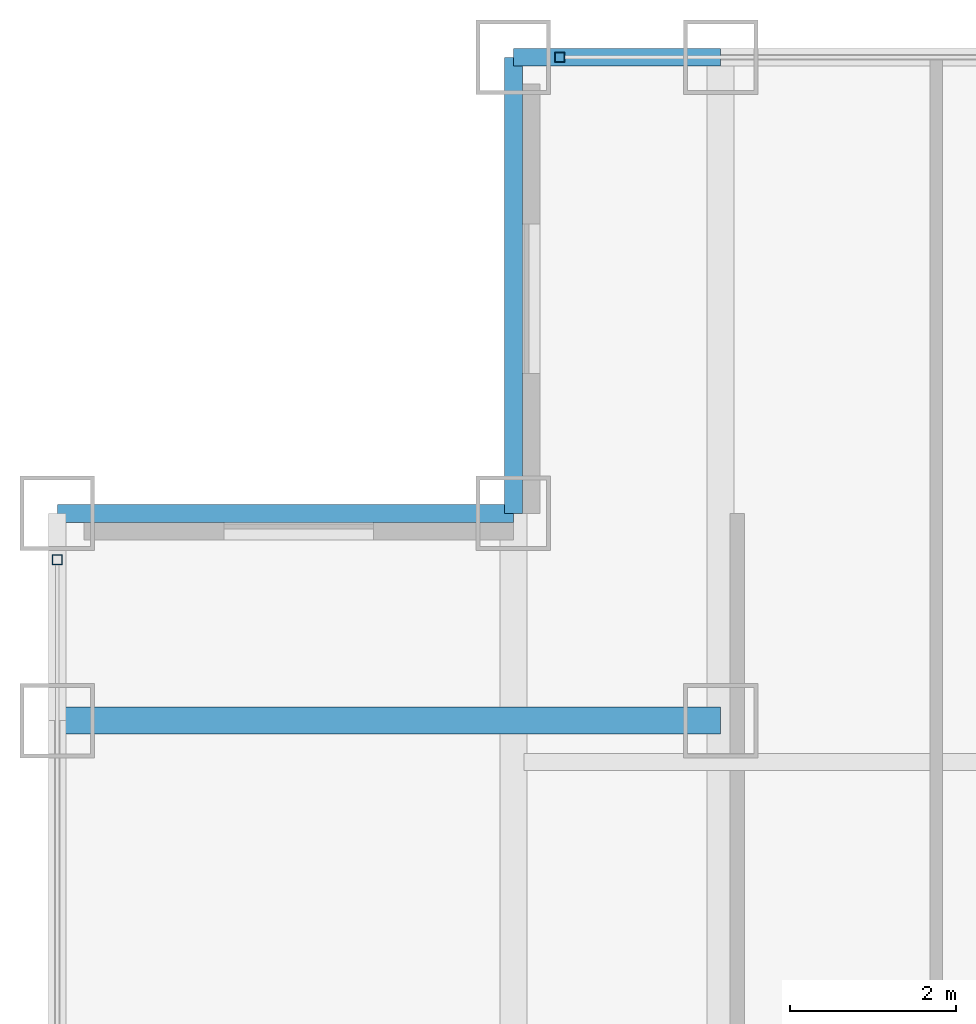
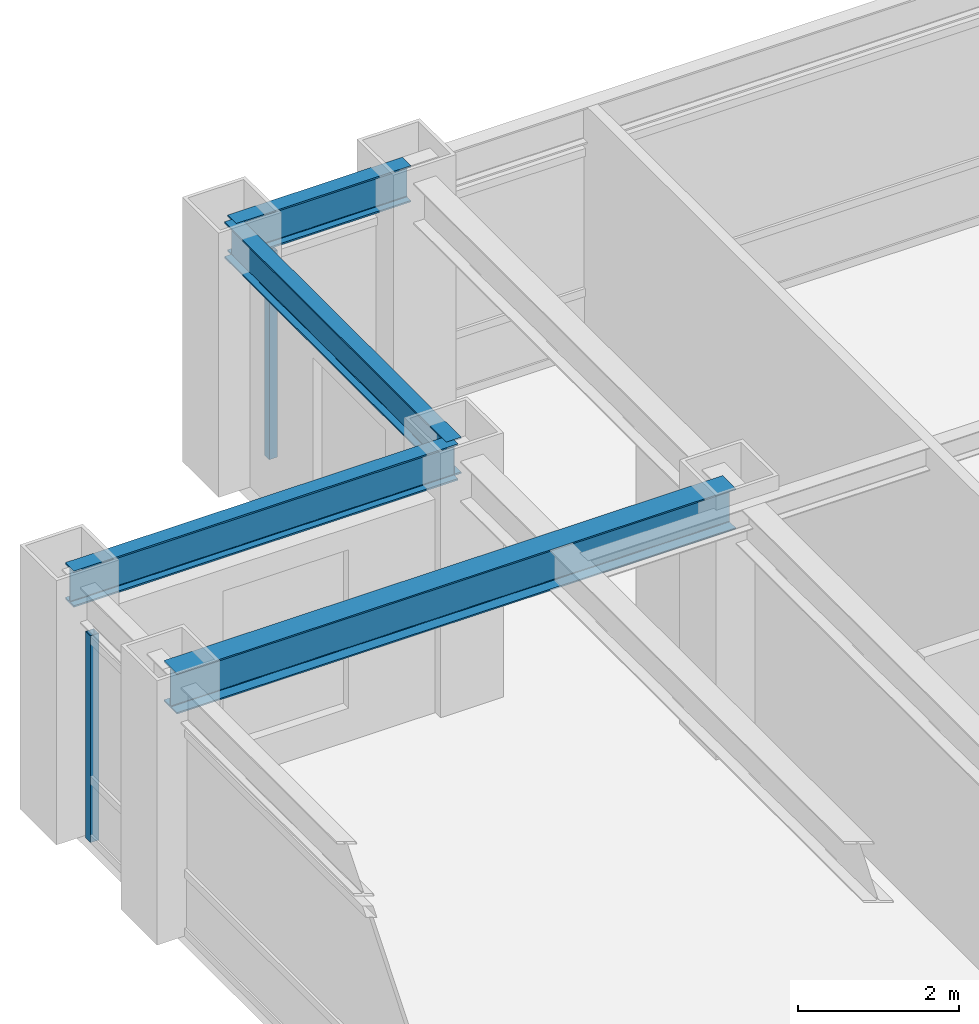
# One storey, part 12 of 22: 4 beams, 2 members, 2 elements without a shape of their own.
"""IFC4 building model written with IfcOpenShell, lengths in metres."""

from ifc_helpers import new_model, si_unit, direction, frame, origin, origin_2d, place, context, subcontext, project, spatial, hollow_rectangle, i_section, extrude, source, transform, mapped, material, material_profile, profile_set, type_object, element, aggregate, save


model = new_model("IFC4")

# Units and contexts
model_context = context("Model", 3, precision=1e-05, world=origin(), true_north=direction((0.0, 1.0)))
body_context = subcontext(model_context, "Body", "Model", "MODEL_VIEW")
ifc_project = project(units=[si_unit("LENGTHUNIT", "METRE"), si_unit("AREAUNIT", "SQUARE_METRE"), si_unit("VOLUMEUNIT", "CUBIC_METRE"), si_unit("PLANEANGLEUNIT", "RADIAN"), si_unit("MASSUNIT", "GRAM", prefix="KILO")], contexts=[model_context])

# Site, building, storey
site_placement = place(None, origin())
site = spatial("IfcSite", under=ifc_project, at=site_placement, CompositionType="ELEMENT")
building_placement = place(site_placement, origin())
building = spatial("IfcBuilding", under=site, at=building_placement, Name="Khorayat Bourse Tower", CompositionType="ELEMENT")
storey_placement = place(building_placement, frame((0.0, 0.0, 297.5)))
storey = spatial("IfcBuildingStorey", under=building, at=storey_placement, Name="L70", CompositionType="ELEMENT", Elevation=297.5)

# Beams
ifc_material_1 = material(Name="Steel ASTM A992 Grade 50", Category="steel")
ifc_material_profile_1 = material_profile(ifc_material_1, i_section(OverallWidth=0.324951171875, OverallDepth=0.615966796875, WebThickness=0.013916015625, FlangeThickness=0.021484375, FilletRadius=0.01611328125, at=origin_2d()), Name="W610X174")
ifc_profile_set_1 = profile_set([ifc_material_profile_1], Name="Steel ASTM A992 Grade 50")
beam_type_1 = type_object("IfcBeamType", Name="BM-GIRD-610", PredefinedType="BEAM", material=ifc_profile_set_1)
shared_shape_1 = source(origin(), body_context, "Body", "SweptSolid", [
    extrude(i_section(OverallWidth=0.324951171875, OverallDepth=0.615966796875, WebThickness=0.013916015625, FlangeThickness=0.021484375, FilletRadius=0.01611328125, at=origin_2d()), origin(), (0.0, 0.0, 1.0), 8.0),
])
beam_1_placement = place(storey_placement, frame((-28.0, 20.0, 3.471923828125), z_axis=(1.0, 0.0, 0.0), x_axis=(0.0, 1.0, 0.0)))
element("IfcBeam", 1, at=beam_1_placement, inside=storey, type_object=beam_type_1, Name="L70 BM-GIRD-610 BM-L70-CNRX-095", PredefinedType="BEAM", context=body_context, shape_type="MappedRepresentation", body=[
    mapped(shared_shape_1, transform((0.0, 0.0, 0.0), scale=1.0)),
])
ifc_material_profile_2 = material_profile(ifc_material_1, i_section(OverallWidth=0.214111328125, OverallDepth=0.549072265625, WebThickness=0.0146484375, FlangeThickness=0.023681640625, FilletRadius=0.013916015625, at=origin_2d()), Name="W530X138")
ifc_profile_set_2 = profile_set([ifc_material_profile_2], Name="Steel ASTM A992 Grade 50")
beam_type_2 = type_object("IfcBeamType", Name="BM-SPAN-530", PredefinedType="SPANDREL", material=ifc_profile_set_2)
shared_shape_2 = source(origin(), body_context, "Body", "SweptSolid", [
    extrude(i_section(OverallWidth=0.214111328125, OverallDepth=0.549072265625, WebThickness=0.0146484375, FlangeThickness=0.023681640625, FilletRadius=0.013916015625, at=origin_2d()), origin(), (0.0, 0.0, 1.0), 2.5),
])
beam_2_placement = place(storey_placement, frame((-22.5, 28.0, 3.505615234375), z_axis=(1.0, 0.0, 0.0), x_axis=(0.0, 1.0, 0.0)))
element("IfcBeam", 2, at=beam_2_placement, inside=storey, type_object=beam_type_2, Name="L70 BM-SPAN-530 BM-L70-SPN-051", PredefinedType="SPANDREL", context=body_context, shape_type="MappedRepresentation", body=[
    mapped(shared_shape_2, transform((0.0, 0.0, 0.0), scale=1.0)),
])
shared_shape_3 = source(origin(), body_context, "Body", "SweptSolid", [
    extrude(i_section(OverallWidth=0.214111328125, OverallDepth=0.549072265625, WebThickness=0.0146484375, FlangeThickness=0.023681640625, FilletRadius=0.013916015625, at=origin_2d()), origin(), (0.0, 0.0, 1.0), 5.5),
])
for number, where, z_axis, x_axis, name in (
    (3, (-22.5, 22.5, 3.505615234375), (0.0, 1.0, 0.0), (-1.0, 0.0, 0.0), "L70 BM-SPAN-530 BM-L70-SPN-052"),
    (4, (-28.0, 22.5, 3.505615234375), (1.0, 0.0, 0.0), (0.0, 1.0, 0.0), "L70 BM-SPAN-530 BM-L70-SPN-053"),
):
    element("IfcBeam", number, at=place(storey_placement, frame(where, z_axis=z_axis, x_axis=x_axis)), inside=storey, type_object=beam_type_2, Name=name, PredefinedType="SPANDREL", context=body_context, shape_type="MappedRepresentation", body=[
        mapped(shared_shape_3, transform((0.0, 0.0, 0.0), scale=1.0)),
    ])

# Curtain wall, member
ifc_material_2 = material(Name="Aluminium EN AW-6063 T6", Category="aluminium")
curtain_wall_type = type_object("IfcCurtainWallType", Name="CW-SYS-04", PredefinedType="NOTDEFINED", material=ifc_material_2)
curtain_wall_1_placement = place(storey_placement, origin())
curtain_wall_1 = element("IfcCurtainWall", 5, at=curtain_wall_1_placement, inside=storey, type_object=curtain_wall_type, Name="L70 Curtain Wall CW-L70-N1", PredefinedType="NOTDEFINED")
ifc_material_profile_3 = material_profile(ifc_material_2, hollow_rectangle(XDim=0.1201171875, YDim=0.1201171875, WallThickness=0.0048828125, at=origin_2d()), Name="ALU 120x120x5")
ifc_profile_set_3 = profile_set([ifc_material_profile_3], Name="Aluminium EN AW-6063 T6")
member_type = type_object("IfcMemberType", Name="CWM-VERT-120", PredefinedType="MULLION", material=ifc_profile_set_3)
shared_shape_4 = source(origin(), body_context, "Body", "SweptSolid", [
    extrude(hollow_rectangle(XDim=0.1201171875, YDim=0.1201171875, WallThickness=0.0048828125, at=origin_2d()), origin(), (0.0, 0.0, 1.0), 3.1298828125),
])
member_1_placement = place(storey_placement, frame((-21.93994140625, 28.0, 0.0), z_axis=(0.0, 0.0, 1.0), x_axis=(0.0, 1.0, 0.0)))
member_1 = element("IfcMember", 6, at=member_1_placement, type_object=member_type, Name="CW-L70-N1 Vertical Mullion 1", PredefinedType="MULLION", context=body_context, shape_type="MappedRepresentation", body=[
    mapped(shared_shape_4, transform((0.0, 0.0, 0.0), scale=1.0)),
])
aggregate(curtain_wall_1, [member_1])

curtain_wall_2_placement = place(storey_placement, origin())
curtain_wall_2 = element("IfcCurtainWall", 7, at=curtain_wall_2_placement, inside=storey, type_object=curtain_wall_type, Name="L70 Curtain Wall CW-L70-W1", PredefinedType="NOTDEFINED")
member_2_placement = place(storey_placement, frame((-28.0, 21.93994140625, 0.0), z_axis=(0.0, 0.0, 1.0), x_axis=(-1.0, 0.0, 0.0)))
member_2 = element("IfcMember", 8, at=member_2_placement, type_object=member_type, Name="CW-L70-W1 Vertical Mullion 3", PredefinedType="MULLION", context=body_context, shape_type="MappedRepresentation", body=[
    mapped(shared_shape_4, transform((0.0, 0.0, 0.0), scale=1.0)),
])
aggregate(curtain_wall_2, [member_2])

save(model, "model.ifc")
